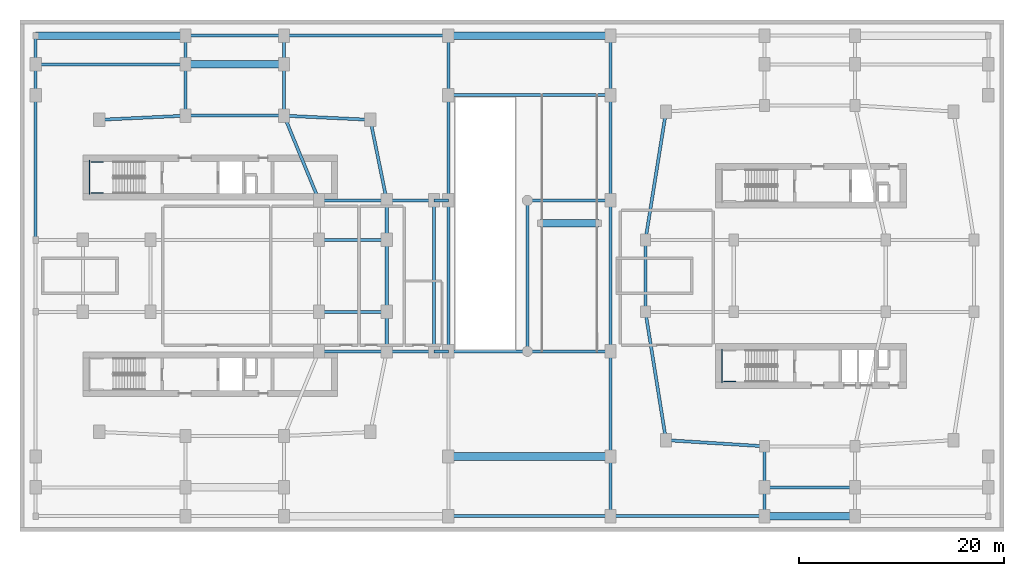
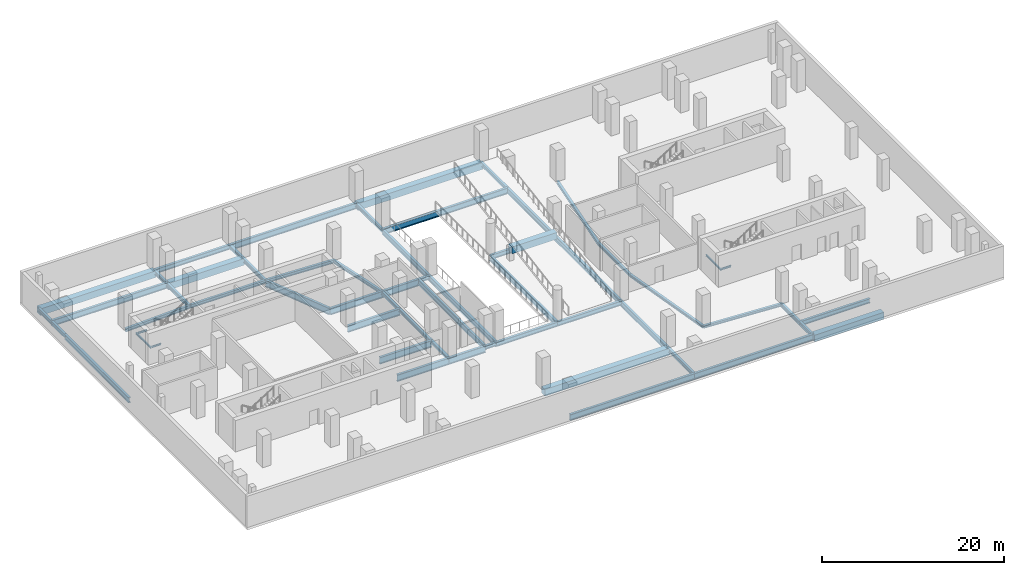
# One storey, part 2 of 13: 60 beams.
"""IFC4 building model written with IfcOpenShell, lengths in metres."""

from ifc_helpers import new_model, si_unit, derived_unit, direction, frame, origin, origin_2d, place, context, subcontext, project, spatial, rectangle, i_section, extrude, material, material_profile, profile_set, type_object, element, save


model = new_model("IFC4")

# Units and contexts
model_context = context("Model", 3, precision=1e-05, world=origin(), true_north=direction((0.0, 1.0)))
body_context = subcontext(model_context, "Body", "Model", "MODEL_VIEW")
ifc_project = project(units=[si_unit("LENGTHUNIT", "METRE"), si_unit("AREAUNIT", "SQUARE_METRE"), si_unit("VOLUMEUNIT", "CUBIC_METRE"), si_unit("PLANEANGLEUNIT", "RADIAN"), si_unit("MASSUNIT", "GRAM", prefix="KILO"), derived_unit("THERMALTRANSMITTANCEUNIT", [(si_unit("POWERUNIT", "WATT"), 1), (si_unit("LENGTHUNIT", "METRE"), -2), (si_unit("THERMODYNAMICTEMPERATUREUNIT", "KELVIN"), -1)])], contexts=[model_context])

# Site, building, storey
site_placement = place(None, origin())
site = spatial("IfcSite", under=ifc_project, at=site_placement, CompositionType="ELEMENT")
building_placement = place(site_placement, origin())
building = spatial("IfcBuilding", under=site, at=building_placement, Name="Kivonza Crest Hotel", CompositionType="ELEMENT")
storey_placement = place(building_placement, frame((0.0, 0.0, -4.199951171875)))
storey = spatial("IfcBuildingStorey", under=building, at=storey_placement, Name="B1", CompositionType="ELEMENT", Elevation=-4.199951171875)

# Beams
ifc_material_1 = material(Name="Steel S355", Category="steel")
ifc_material_profile_1 = material_profile(ifc_material_1, i_section(OverallWidth=0.300048828125, OverallDepth=0.360107421875, WebThickness=0.012451171875, FlangeThickness=0.0224609375, FilletRadius=0.027099609375, at=origin_2d()), Name="HEB 360")
ifc_profile_set_1 = profile_set([ifc_material_profile_1], Name="Steel S355")
beam_type_1 = type_object("IfcBeamType", Name="BM-HEB360", PredefinedType="SPANDREL", material=ifc_profile_set_1)
beam_1_placement = place(storey_placement, frame((63.0, 41.0, -0.5), z_axis=(-0.157990501107, -0.987440631917, 0.0), x_axis=(0.987440631917, -0.157990501107, 0.0)))
element("IfcBeam", 1, at=beam_1_placement, inside=storey, type_object=beam_type_1, Name="Companion Tower T2 B1 perimeter spandrel NW-W2", PredefinedType="SPANDREL", context=body_context, shape_type="SweptSolid", body=[
    extrude(i_section(OverallWidth=0.300048828125, OverallDepth=0.360107421875, WebThickness=0.012451171875, FlangeThickness=0.0224609375, FilletRadius=0.027099609375, at=origin_2d()), origin(), (0.0, 0.0, 1.0), 12.658935546875),
])
beam_2_placement = place(storey_placement, frame((61.0, 28.5, -0.5), z_axis=(0.0, -1.0, 0.0), x_axis=(1.0, 0.0, 0.0)))
element("IfcBeam", 2, at=beam_2_placement, inside=storey, type_object=beam_type_1, Name="Companion Tower T2 B1 perimeter spandrel W2-W1", PredefinedType="SPANDREL", context=body_context, shape_type="SweptSolid", body=[
    extrude(i_section(OverallWidth=0.300048828125, OverallDepth=0.360107421875, WebThickness=0.012451171875, FlangeThickness=0.0224609375, FilletRadius=0.027099609375, at=origin_2d()), origin(), (0.0, 0.0, 1.0), 7.0),
])
beam_3_placement = place(storey_placement, frame((61.0, 21.5, -0.5), z_axis=(0.157990501107, -0.987440631917, 0.0), x_axis=(0.987440631917, 0.157990501107, 0.0)))
element("IfcBeam", 3, at=beam_3_placement, inside=storey, type_object=beam_type_1, Name="Companion Tower T2 B1 perimeter spandrel W1-SW", PredefinedType="SPANDREL", context=body_context, shape_type="SweptSolid", body=[
    extrude(i_section(OverallWidth=0.300048828125, OverallDepth=0.360107421875, WebThickness=0.012451171875, FlangeThickness=0.0224609375, FilletRadius=0.027099609375, at=origin_2d()), origin(), (0.0, 0.0, 1.0), 12.658935546875),
])
beam_4_placement = place(storey_placement, frame((63.0, 9.0, -0.5), z_axis=(0.998051985873, -0.062387767186, 0.0), x_axis=(0.062387767186, 0.998051985873, 0.0)))
element("IfcBeam", 4, at=beam_4_placement, inside=storey, type_object=beam_type_1, Name="Companion Tower T2 B1 perimeter spandrel SW-S1", PredefinedType="SPANDREL", context=body_context, shape_type="SweptSolid", body=[
    extrude(i_section(OverallWidth=0.300048828125, OverallDepth=0.360107421875, WebThickness=0.012451171875, FlangeThickness=0.0224609375, FilletRadius=0.027099609375, at=origin_2d()), origin(), (0.0, 0.0, 1.0), 9.618896484375),
])
ifc_material_profile_2 = material_profile(ifc_material_1, i_section(OverallWidth=0.300048828125, OverallDepth=0.449951171875, WebThickness=0.013916015625, FlangeThickness=0.02587890625, FilletRadius=0.027099609375, at=origin_2d()), Name="HEB 450")
ifc_profile_set_2 = profile_set([ifc_material_profile_2], Name="Steel S355")
beam_type_2 = type_object("IfcBeamType", Name="BM-HEB450", PredefinedType="SPANDREL", material=ifc_profile_set_2)
beam_5_placement = place(storey_placement, frame((35.800048828125, 17.64990234375, -0.545166015625), z_axis=(0.0, 1.0, 0.0), x_axis=(-1.0, 0.0, 0.0)))
element("IfcBeam", 5, at=beam_5_placement, inside=storey, type_object=beam_type_2, Name="Tower T1 B1 perimeter spandrel PSE-E1", PredefinedType="SPANDREL", context=body_context, shape_type="SweptSolid", body=[
    extrude(i_section(OverallWidth=0.300048828125, OverallDepth=0.449951171875, WebThickness=0.013916015625, FlangeThickness=0.02587890625, FilletRadius=0.027099609375, at=origin_2d()), origin(), (0.0, 0.0, 1.0), 3.85009765625),
])
beam_6_placement = place(storey_placement, frame((35.800048828125, 21.5, -0.545166015625), z_axis=(0.0, 1.0, 0.0), x_axis=(-1.0, 0.0, 0.0)))
element("IfcBeam", 6, at=beam_6_placement, inside=storey, type_object=beam_type_2, Name="Tower T1 B1 perimeter spandrel E1-E2", PredefinedType="SPANDREL", context=body_context, shape_type="SweptSolid", body=[
    extrude(i_section(OverallWidth=0.300048828125, OverallDepth=0.449951171875, WebThickness=0.013916015625, FlangeThickness=0.02587890625, FilletRadius=0.027099609375, at=origin_2d()), origin(), (0.0, 0.0, 1.0), 7.0),
])
beam_7_placement = place(storey_placement, frame((35.800048828125, 28.5, -0.545166015625), z_axis=(0.0, 1.0, 0.0), x_axis=(-1.0, 0.0, 0.0)))
element("IfcBeam", 7, at=beam_7_placement, inside=storey, type_object=beam_type_2, Name="Tower T1 B1 perimeter spandrel E2-PNE", PredefinedType="SPANDREL", context=body_context, shape_type="SweptSolid", body=[
    extrude(i_section(OverallWidth=0.300048828125, OverallDepth=0.449951171875, WebThickness=0.013916015625, FlangeThickness=0.02587890625, FilletRadius=0.027099609375, at=origin_2d()), origin(), (0.0, 0.0, 1.0), 3.85009765625),
])
beam_8_placement = place(storey_placement, frame((35.800048828125, 32.35009765625, -0.545166015625), z_axis=(-0.199730733965, 0.979850822273, 0.0), x_axis=(-0.979850822273, -0.199730733965, 0.0)))
element("IfcBeam", 8, at=beam_8_placement, inside=storey, type_object=beam_type_2, Name="Tower T1 B1 perimeter spandrel PNE-NE", PredefinedType="SPANDREL", context=body_context, shape_type="SweptSolid", body=[
    extrude(i_section(OverallWidth=0.300048828125, OverallDepth=0.449951171875, WebThickness=0.013916015625, FlangeThickness=0.02587890625, FilletRadius=0.027099609375, at=origin_2d()), origin(), (0.0, 0.0, 1.0), 8.01123046875),
])
beam_9_placement = place(storey_placement, frame((34.199951171875, 40.199951171875, -0.545166015625), z_axis=(-0.998867283688, 0.047583080799, 0.0), x_axis=(-0.047583080799, -0.998867283688, 0.0)))
element("IfcBeam", 9, at=beam_9_placement, inside=storey, type_object=beam_type_2, Name="Tower T1 B1 perimeter spandrel NE-N2", PredefinedType="SPANDREL", context=body_context, shape_type="SweptSolid", body=[
    extrude(i_section(OverallWidth=0.300048828125, OverallDepth=0.449951171875, WebThickness=0.013916015625, FlangeThickness=0.02587890625, FilletRadius=0.027099609375, at=origin_2d()), origin(), (0.0, 0.0, 1.0), 8.409423828125),
])
beam_10_placement = place(storey_placement, frame((25.800048828125, 40.60009765625, -0.545166015625), z_axis=(-1.0, 0.0, 0.0), x_axis=(0.0, -1.0, 0.0)))
element("IfcBeam", 10, at=beam_10_placement, inside=storey, type_object=beam_type_2, Name="Tower T1 B1 perimeter spandrel N2-N1", PredefinedType="SPANDREL", context=body_context, shape_type="SweptSolid", body=[
    extrude(i_section(OverallWidth=0.300048828125, OverallDepth=0.449951171875, WebThickness=0.013916015625, FlangeThickness=0.02587890625, FilletRadius=0.027099609375, at=origin_2d()), origin(), (0.0, 0.0, 1.0), 9.60009765625),
])
beam_11_placement = place(storey_placement, frame((16.199951171875, 40.60009765625, -0.545166015625), z_axis=(-0.998867283688, -0.047583080799, 0.0), x_axis=(0.047583080799, -0.998867283688, 0.0)))
element("IfcBeam", 11, at=beam_11_placement, inside=storey, type_object=beam_type_2, Name="Tower T1 B1 perimeter spandrel N1-NW", PredefinedType="SPANDREL", context=body_context, shape_type="SweptSolid", body=[
    extrude(i_section(OverallWidth=0.300048828125, OverallDepth=0.449951171875, WebThickness=0.013916015625, FlangeThickness=0.02587890625, FilletRadius=0.027099609375, at=origin_2d()), origin(), (0.0, 0.0, 1.0), 8.409423828125),
])
ifc_material_profile_3 = material_profile(ifc_material_1, i_section(OverallWidth=0.300048828125, OverallDepth=0.5, WebThickness=0.014404296875, FlangeThickness=0.028076171875, FilletRadius=0.027099609375, at=origin_2d()), Name="HEB 500")
ifc_profile_set_3 = profile_set([ifc_material_profile_3], Name="Steel S355")
beam_type_3 = type_object("IfcBeamType", Name="BM-HEB500", PredefinedType="BEAM", material=ifc_profile_set_3)
for number, where, z_axis, x_axis, name in (
    (12, (40.39990234375, 17.64990234375, -0.570068359375), (1.0, 0.0, 0.0), (0.0, 1.0, 0.0), "B1 podium girder X 17"),
    (13, (40.39990234375, 32.35009765625, -0.570068359375), (1.0, 0.0, 0.0), (0.0, 1.0, 0.0), "B1 podium girder X 36"),
):
    element("IfcBeam", number, at=place(storey_placement, frame(where, z_axis=z_axis, x_axis=x_axis)), inside=storey, type_object=beam_type_3, Name=name, PredefinedType="BEAM", context=body_context, shape_type="SweptSolid", body=[
        extrude(i_section(OverallWidth=0.300048828125, OverallDepth=0.5, WebThickness=0.014404296875, FlangeThickness=0.028076171875, FilletRadius=0.027099609375, at=origin_2d()), origin(), (0.0, 0.0, 1.0), 1.400146484375),
    ])
beam_12_placement = place(storey_placement, frame((1.60009765625, 42.60009765625, -0.570068359375), z_axis=(0.0, 1.0, 0.0), x_axis=(-1.0, 0.0, 0.0)))
element("IfcBeam", 14, at=beam_12_placement, inside=storey, type_object=beam_type_3, Name="B1 podium girder Y 57", PredefinedType="BEAM", context=body_context, shape_type="SweptSolid", body=[
    extrude(i_section(OverallWidth=0.300048828125, OverallDepth=0.5, WebThickness=0.014404296875, FlangeThickness=0.028076171875, FilletRadius=0.027099609375, at=origin_2d()), origin(), (0.0, 0.0, 1.0), 3.0),
])
beam_13_placement = place(storey_placement, frame((1.60009765625, 45.60009765625, -0.570068359375), z_axis=(0.0, 1.0, 0.0), x_axis=(-1.0, 0.0, 0.0)))
element("IfcBeam", 15, at=beam_13_placement, inside=storey, type_object=beam_type_3, Name="B1 podium girder Y 58", PredefinedType="BEAM", context=body_context, shape_type="SweptSolid", body=[
    extrude(i_section(OverallWidth=0.300048828125, OverallDepth=0.5, WebThickness=0.014404296875, FlangeThickness=0.028076171875, FilletRadius=0.027099609375, at=origin_2d()), origin(), (0.0, 0.0, 1.0), 2.7998046875),
])
beam_14_placement = place(storey_placement, frame((16.199951171875, 40.60009765625, -0.570068359375), z_axis=(0.0, 1.0, 0.0), x_axis=(-1.0, 0.0, 0.0)))
element("IfcBeam", 16, at=beam_14_placement, inside=storey, type_object=beam_type_3, Name="B1 podium girder Y 63", PredefinedType="BEAM", context=body_context, shape_type="SweptSolid", body=[
    extrude(i_section(OverallWidth=0.300048828125, OverallDepth=0.5, WebThickness=0.014404296875, FlangeThickness=0.028076171875, FilletRadius=0.027099609375, at=origin_2d()), origin(), (0.0, 0.0, 1.0), 5.0),
])
beam_15_placement = place(storey_placement, frame((16.199951171875, 45.60009765625, -0.570068359375), z_axis=(0.0, 1.0, 0.0), x_axis=(-1.0, 0.0, 0.0)))
element("IfcBeam", 17, at=beam_15_placement, inside=storey, type_object=beam_type_3, Name="B1 podium girder Y 64", PredefinedType="BEAM", context=body_context, shape_type="SweptSolid", body=[
    extrude(i_section(OverallWidth=0.300048828125, OverallDepth=0.5, WebThickness=0.014404296875, FlangeThickness=0.028076171875, FilletRadius=0.027099609375, at=origin_2d()), origin(), (0.0, 0.0, 1.0), 2.7998046875),
])
beam_16_placement = place(storey_placement, frame((25.800048828125, 40.60009765625, -0.570068359375), z_axis=(0.0, 1.0, 0.0), x_axis=(-1.0, 0.0, 0.0)))
element("IfcBeam", 18, at=beam_16_placement, inside=storey, type_object=beam_type_3, Name="B1 podium girder Y 67", PredefinedType="BEAM", context=body_context, shape_type="SweptSolid", body=[
    extrude(i_section(OverallWidth=0.300048828125, OverallDepth=0.5, WebThickness=0.014404296875, FlangeThickness=0.028076171875, FilletRadius=0.027099609375, at=origin_2d()), origin(), (0.0, 0.0, 1.0), 5.0),
])
beam_17_placement = place(storey_placement, frame((25.800048828125, 45.60009765625, -0.570068359375), z_axis=(0.0, 1.0, 0.0), x_axis=(-1.0, 0.0, 0.0)))
element("IfcBeam", 19, at=beam_17_placement, inside=storey, type_object=beam_type_3, Name="B1 podium girder Y 68", PredefinedType="BEAM", context=body_context, shape_type="SweptSolid", body=[
    extrude(i_section(OverallWidth=0.300048828125, OverallDepth=0.5, WebThickness=0.014404296875, FlangeThickness=0.028076171875, FilletRadius=0.027099609375, at=origin_2d()), origin(), (0.0, 0.0, 1.0), 2.7998046875),
])
for number, where, z_axis, x_axis, name in (
    (20, (41.800048828125, 42.60009765625, -0.570068359375), (0.0, 1.0, 0.0), (-1.0, 0.0, 0.0), "B1 podium girder Y 80"),
    (21, (57.60009765625, 1.60009765625, -0.570068359375), (0.0, 1.0, 0.0), (-1.0, 0.0, 0.0), "B1 podium girder Y 82"),
    (22, (57.60009765625, 42.60009765625, -0.570068359375), (0.0, 1.0, 0.0), (-1.0, 0.0, 0.0), "B1 podium girder Y 86"),
):
    element("IfcBeam", number, at=place(storey_placement, frame(where, z_axis=z_axis, x_axis=x_axis)), inside=storey, type_object=beam_type_3, Name=name, PredefinedType="BEAM", context=body_context, shape_type="SweptSolid", body=[
        extrude(i_section(OverallWidth=0.300048828125, OverallDepth=0.5, WebThickness=0.014404296875, FlangeThickness=0.028076171875, FilletRadius=0.027099609375, at=origin_2d()), origin(), (0.0, 0.0, 1.0), 5.7998046875),
    ])
beam_18_placement = place(storey_placement, frame((72.60009765625, 1.60009765625, -0.570068359375), z_axis=(0.0, 1.0, 0.0), x_axis=(-1.0, 0.0, 0.0)))
element("IfcBeam", 23, at=beam_18_placement, inside=storey, type_object=beam_type_3, Name="B1 podium girder Y 89", PredefinedType="BEAM", context=body_context, shape_type="SweptSolid", body=[
    extrude(i_section(OverallWidth=0.300048828125, OverallDepth=0.5, WebThickness=0.014404296875, FlangeThickness=0.028076171875, FilletRadius=0.027099609375, at=origin_2d()), origin(), (0.0, 0.0, 1.0), 2.7998046875),
])
beam_19_placement = place(storey_placement, frame((72.60009765625, 4.39990234375, -0.570068359375), z_axis=(0.0, 1.0, 0.0), x_axis=(-1.0, 0.0, 0.0)))
element("IfcBeam", 24, at=beam_19_placement, inside=storey, type_object=beam_type_3, Name="B1 podium girder Y 90", PredefinedType="BEAM", context=body_context, shape_type="SweptSolid", body=[
    extrude(i_section(OverallWidth=0.300048828125, OverallDepth=0.5, WebThickness=0.014404296875, FlangeThickness=0.028076171875, FilletRadius=0.027099609375, at=origin_2d()), origin(), (0.0, 0.0, 1.0), 4.0),
])
ifc_material_profile_4 = material_profile(ifc_material_1, i_section(OverallWidth=0.300048828125, OverallDepth=0.60009765625, WebThickness=0.015380859375, FlangeThickness=0.030029296875, FilletRadius=0.027099609375, at=origin_2d()), Name="HEB 600")
ifc_profile_set_4 = profile_set([ifc_material_profile_4], Name="Steel S355")
beam_type_4 = type_object("IfcBeamType", Name="BM-HEB600", PredefinedType="BEAM", material=ifc_profile_set_4)
beam_20_placement = place(storey_placement, frame((72.60009765625, 4.39990234375, -0.6201171875), z_axis=(1.0, 0.0, 0.0), x_axis=(0.0, 1.0, 0.0)))
element("IfcBeam", 25, at=beam_20_placement, inside=storey, type_object=beam_type_4, Name="B1 podium girder X 10", PredefinedType="BEAM", context=body_context, shape_type="SweptSolid", body=[
    extrude(i_section(OverallWidth=0.300048828125, OverallDepth=0.60009765625, WebThickness=0.015380859375, FlangeThickness=0.030029296875, FilletRadius=0.027099609375, at=origin_2d()), origin(), (0.0, 0.0, 1.0), 8.7998046875),
])
beam_21_placement = place(storey_placement, frame((41.800048828125, 17.64990234375, -0.6201171875), z_axis=(1.0, 0.0, 0.0), x_axis=(0.0, 1.0, 0.0)))
element("IfcBeam", 26, at=beam_21_placement, inside=storey, type_object=beam_type_4, Name="B1 podium girder X 18", PredefinedType="BEAM", context=body_context, shape_type="SweptSolid", body=[
    extrude(i_section(OverallWidth=0.300048828125, OverallDepth=0.60009765625, WebThickness=0.015380859375, FlangeThickness=0.030029296875, FilletRadius=0.027099609375, at=origin_2d()), origin(), (0.0, 0.0, 1.0), 7.699951171875),
])
for number, where, z_axis, x_axis, name in (
    (27, (49.5, 17.64990234375, -0.6201171875), (1.0, 0.0, 0.0), (0.0, 1.0, 0.0), "B1 podium girder X 19"),
    (28, (49.5, 32.35009765625, -0.6201171875), (1.0, 0.0, 0.0), (0.0, 1.0, 0.0), "B1 podium girder X 37"),
):
    element("IfcBeam", number, at=place(storey_placement, frame(where, z_axis=z_axis, x_axis=x_axis)), inside=storey, type_object=beam_type_4, Name=name, PredefinedType="BEAM", context=body_context, shape_type="SweptSolid", body=[
        extrude(i_section(OverallWidth=0.300048828125, OverallDepth=0.60009765625, WebThickness=0.015380859375, FlangeThickness=0.030029296875, FilletRadius=0.027099609375, at=origin_2d()), origin(), (0.0, 0.0, 1.0), 8.10009765625),
    ])
beam_22_placement = place(storey_placement, frame((16.199951171875, 48.39990234375, -0.6201171875), z_axis=(1.0, 0.0, 0.0), x_axis=(0.0, 1.0, 0.0)))
element("IfcBeam", 29, at=beam_22_placement, inside=storey, type_object=beam_type_4, Name="B1 podium girder X 46", PredefinedType="BEAM", context=body_context, shape_type="SweptSolid", body=[
    extrude(i_section(OverallWidth=0.300048828125, OverallDepth=0.60009765625, WebThickness=0.015380859375, FlangeThickness=0.030029296875, FilletRadius=0.027099609375, at=origin_2d()), origin(), (0.0, 0.0, 1.0), 9.60009765625),
])
ifc_material_profile_5 = material_profile(ifc_material_1, i_section(OverallWidth=0.300048828125, OverallDepth=0.699951171875, WebThickness=0.01708984375, FlangeThickness=0.031982421875, FilletRadius=0.027099609375, at=origin_2d()), Name="HEB 700")
ifc_profile_set_5 = profile_set([ifc_material_profile_5], Name="Steel S355")
beam_type_5 = type_object("IfcBeamType", Name="BM-HEB700", PredefinedType="BEAM", material=ifc_profile_set_5)
beam_23_placement = place(storey_placement, frame((1.60009765625, 28.5, -0.670166015625), z_axis=(0.0, 1.0, 0.0), x_axis=(-1.0, 0.0, 0.0)))
element("IfcBeam", 30, at=beam_23_placement, inside=storey, type_object=beam_type_5, Name="B1 podium girder Y 56", PredefinedType="BEAM", context=body_context, shape_type="SweptSolid", body=[
    extrude(i_section(OverallWidth=0.300048828125, OverallDepth=0.699951171875, WebThickness=0.01708984375, FlangeThickness=0.031982421875, FilletRadius=0.027099609375, at=origin_2d()), origin(), (0.0, 0.0, 1.0), 14.10009765625),
])
for number, where, z_axis, x_axis, name in (
    (31, (40.39990234375, 17.64990234375, -0.670166015625), (0.0, 1.0, 0.0), (-1.0, 0.0, 0.0), "B1 podium girder Y 75"),
    (32, (41.800048828125, 17.64990234375, -0.670166015625), (0.0, 1.0, 0.0), (-1.0, 0.0, 0.0), "B1 podium girder Y 78"),
):
    element("IfcBeam", number, at=place(storey_placement, frame(where, z_axis=z_axis, x_axis=x_axis)), inside=storey, type_object=beam_type_5, Name=name, PredefinedType="BEAM", context=body_context, shape_type="SweptSolid", body=[
        extrude(i_section(OverallWidth=0.300048828125, OverallDepth=0.699951171875, WebThickness=0.01708984375, FlangeThickness=0.031982421875, FilletRadius=0.027099609375, at=origin_2d()), origin(), (0.0, 0.0, 1.0), 14.7001953125),
    ])
beam_24_placement = place(storey_placement, frame((41.800048828125, 32.35009765625, -0.670166015625), z_axis=(0.0, 1.0, 0.0), x_axis=(-1.0, 0.0, 0.0)))
element("IfcBeam", 33, at=beam_24_placement, inside=storey, type_object=beam_type_5, Name="B1 podium girder Y 79", PredefinedType="BEAM", context=body_context, shape_type="SweptSolid", body=[
    extrude(i_section(OverallWidth=0.300048828125, OverallDepth=0.699951171875, WebThickness=0.01708984375, FlangeThickness=0.031982421875, FilletRadius=0.027099609375, at=origin_2d()), origin(), (0.0, 0.0, 1.0), 10.25),
])
beam_25_placement = place(storey_placement, frame((49.5, 17.64990234375, -0.670166015625), z_axis=(0.0, 1.0, 0.0), x_axis=(-1.0, 0.0, 0.0)))
element("IfcBeam", 34, at=beam_25_placement, inside=storey, type_object=beam_type_5, Name="B1 podium girder Y 81", PredefinedType="BEAM", context=body_context, shape_type="SweptSolid", body=[
    extrude(i_section(OverallWidth=0.300048828125, OverallDepth=0.699951171875, WebThickness=0.01708984375, FlangeThickness=0.031982421875, FilletRadius=0.027099609375, at=origin_2d()), origin(), (0.0, 0.0, 1.0), 14.7001953125),
])
beam_26_placement = place(storey_placement, frame((57.60009765625, 7.39990234375, -0.670166015625), z_axis=(0.0, 1.0, 0.0), x_axis=(-1.0, 0.0, 0.0)))
element("IfcBeam", 35, at=beam_26_placement, inside=storey, type_object=beam_type_5, Name="B1 podium girder Y 83", PredefinedType="BEAM", context=body_context, shape_type="SweptSolid", body=[
    extrude(i_section(OverallWidth=0.300048828125, OverallDepth=0.699951171875, WebThickness=0.01708984375, FlangeThickness=0.031982421875, FilletRadius=0.027099609375, at=origin_2d()), origin(), (0.0, 0.0, 1.0), 10.25),
])
beam_27_placement = place(storey_placement, frame((57.60009765625, 17.64990234375, -0.670166015625), z_axis=(0.0, 1.0, 0.0), x_axis=(-1.0, 0.0, 0.0)))
element("IfcBeam", 36, at=beam_27_placement, inside=storey, type_object=beam_type_5, Name="B1 podium girder Y 84", PredefinedType="BEAM", context=body_context, shape_type="SweptSolid", body=[
    extrude(i_section(OverallWidth=0.300048828125, OverallDepth=0.699951171875, WebThickness=0.01708984375, FlangeThickness=0.031982421875, FilletRadius=0.027099609375, at=origin_2d()), origin(), (0.0, 0.0, 1.0), 14.7001953125),
])
beam_28_placement = place(storey_placement, frame((57.60009765625, 32.35009765625, -0.670166015625), z_axis=(0.0, 1.0, 0.0), x_axis=(-1.0, 0.0, 0.0)))
element("IfcBeam", 37, at=beam_28_placement, inside=storey, type_object=beam_type_5, Name="B1 podium girder Y 85", PredefinedType="BEAM", context=body_context, shape_type="SweptSolid", body=[
    extrude(i_section(OverallWidth=0.300048828125, OverallDepth=0.699951171875, WebThickness=0.01708984375, FlangeThickness=0.031982421875, FilletRadius=0.027099609375, at=origin_2d()), origin(), (0.0, 0.0, 1.0), 10.25),
])
ifc_material_profile_6 = material_profile(ifc_material_1, i_section(OverallWidth=0.300048828125, OverallDepth=0.800048828125, WebThickness=0.017578125, FlangeThickness=0.032958984375, FilletRadius=0.030029296875, at=origin_2d()), Name="HEB 800")
ifc_profile_set_6 = profile_set([ifc_material_profile_6], Name="Steel S355")
beam_type_6 = type_object("IfcBeamType", Name="BM-HEB800", PredefinedType="BEAM", material=ifc_profile_set_6)
beam_29_placement = place(storey_placement, frame((41.800048828125, 1.60009765625, -0.719970703125), z_axis=(1.0, 0.0, 0.0), x_axis=(0.0, 1.0, 0.0)))
element("IfcBeam", 38, at=beam_29_placement, inside=storey, type_object=beam_type_6, Name="B1 podium girder X 4", PredefinedType="BEAM", context=body_context, shape_type="SweptSolid", body=[
    extrude(i_section(OverallWidth=0.300048828125, OverallDepth=0.800048828125, WebThickness=0.017578125, FlangeThickness=0.032958984375, FilletRadius=0.030029296875, at=origin_2d()), origin(), (0.0, 0.0, 1.0), 15.800048828125),
])
beam_30_placement = place(storey_placement, frame((57.60009765625, 1.60009765625, -0.719970703125), z_axis=(1.0, 0.0, 0.0), x_axis=(0.0, 1.0, 0.0)))
element("IfcBeam", 39, at=beam_30_placement, inside=storey, type_object=beam_type_6, Name="B1 podium girder X 5", PredefinedType="BEAM", context=body_context, shape_type="SweptSolid", body=[
    extrude(i_section(OverallWidth=0.300048828125, OverallDepth=0.800048828125, WebThickness=0.017578125, FlangeThickness=0.032958984375, FilletRadius=0.030029296875, at=origin_2d()), origin(), (0.0, 0.0, 1.0), 15.0),
])
beam_31_placement = place(storey_placement, frame((41.800048828125, 42.60009765625, -0.719970703125), z_axis=(1.0, 0.0, 0.0), x_axis=(0.0, 1.0, 0.0)))
element("IfcBeam", 40, at=beam_31_placement, inside=storey, type_object=beam_type_6, Name="B1 podium girder X 40", PredefinedType="BEAM", context=body_context, shape_type="SweptSolid", body=[
    extrude(i_section(OverallWidth=0.300048828125, OverallDepth=0.800048828125, WebThickness=0.017578125, FlangeThickness=0.032958984375, FilletRadius=0.030029296875, at=origin_2d()), origin(), (0.0, 0.0, 1.0), 15.800048828125),
])
beam_32_placement = place(storey_placement, frame((1.60009765625, 45.60009765625, -0.719970703125), z_axis=(1.0, 0.0, 0.0), x_axis=(0.0, 1.0, 0.0)))
element("IfcBeam", 41, at=beam_32_placement, inside=storey, type_object=beam_type_6, Name="B1 podium girder X 41", PredefinedType="BEAM", context=body_context, shape_type="SweptSolid", body=[
    extrude(i_section(OverallWidth=0.300048828125, OverallDepth=0.800048828125, WebThickness=0.017578125, FlangeThickness=0.032958984375, FilletRadius=0.030029296875, at=origin_2d()), origin(), (0.0, 0.0, 1.0), 14.599853515625),
])
beam_33_placement = place(storey_placement, frame((25.800048828125, 48.39990234375, -0.719970703125), z_axis=(1.0, 0.0, 0.0), x_axis=(0.0, 1.0, 0.0)))
element("IfcBeam", 42, at=beam_33_placement, inside=storey, type_object=beam_type_6, Name="B1 podium girder X 47", PredefinedType="BEAM", context=body_context, shape_type="SweptSolid", body=[
    extrude(i_section(OverallWidth=0.300048828125, OverallDepth=0.800048828125, WebThickness=0.017578125, FlangeThickness=0.032958984375, FilletRadius=0.030029296875, at=origin_2d()), origin(), (0.0, 0.0, 1.0), 16.0),
])
ifc_material_profile_7 = material_profile(ifc_material_1, i_section(OverallWidth=0.300048828125, OverallDepth=0.89990234375, WebThickness=0.0185546875, FlangeThickness=0.034912109375, FilletRadius=0.030029296875, at=origin_2d()), Name="HEB 900")
ifc_profile_set_7 = profile_set([ifc_material_profile_7], Name="Steel S355")
beam_type_7 = type_object("IfcBeamType", Name="BM-HEB900", PredefinedType="BEAM", material=ifc_profile_set_7)
beam_34_placement = place(storey_placement, frame((25.800048828125, 40.60009765625, -0.77001953125), z_axis=(0.381022260404, -0.924565864109, 0.0), x_axis=(0.924565864109, 0.381022260404, 0.0)))
element("IfcBeam", 43, at=beam_34_placement, inside=storey, type_object=beam_type_7, Name="Tower T1 B1 primary girder N1-TNE", PredefinedType="BEAM", context=body_context, shape_type="SweptSolid", body=[
    extrude(i_section(OverallWidth=0.300048828125, OverallDepth=0.89990234375, WebThickness=0.0185546875, FlangeThickness=0.034912109375, FilletRadius=0.030029296875, at=origin_2d()), origin(), (0.0, 0.0, 1.0), 8.923095703125),
])
for number, where, z_axis, x_axis, name in (
    (44, (29.199951171875, 17.64990234375, -0.77001953125), (1.0, 0.0, 0.0), (0.0, 1.0, 0.0), "Tower T1 B1 primary girder TSE-PSE"),
    (45, (29.199951171875, 32.35009765625, -0.77001953125), (1.0, 0.0, 0.0), (0.0, 1.0, 0.0), "Tower T1 B1 primary girder TNE-PNE"),
    (46, (29.199951171875, 21.5, -0.77001953125), (1.0, 0.0, 0.0), (0.0, 1.0, 0.0), "Tower T1 B1 primary girder WR1-E1"),
    (47, (29.199951171875, 28.5, -0.77001953125), (1.0, 0.0, 0.0), (0.0, 1.0, 0.0), "Tower T1 B1 primary girder WR2-E2"),
):
    element("IfcBeam", number, at=place(storey_placement, frame(where, z_axis=z_axis, x_axis=x_axis)), inside=storey, type_object=beam_type_7, Name=name, PredefinedType="BEAM", context=body_context, shape_type="SweptSolid", body=[
        extrude(i_section(OverallWidth=0.300048828125, OverallDepth=0.89990234375, WebThickness=0.0185546875, FlangeThickness=0.034912109375, FilletRadius=0.030029296875, at=origin_2d()), origin(), (0.0, 0.0, 1.0), 6.60009765625),
    ])
for number, where, z_axis, x_axis, name in (
    (48, (40.39990234375, 17.64990234375, -0.77001953125), (-1.0, 0.0, 0.0), (0.0, -1.0, 0.0), "Tower T1 B1 outer bay girder ZE1"),
    (49, (40.39990234375, 32.35009765625, -0.77001953125), (-1.0, 0.0, 0.0), (0.0, -1.0, 0.0), "Tower T1 B1 outer bay girder ZE2"),
):
    element("IfcBeam", number, at=place(storey_placement, frame(where, z_axis=z_axis, x_axis=x_axis)), inside=storey, type_object=beam_type_7, Name=name, PredefinedType="BEAM", context=body_context, shape_type="SweptSolid", body=[
        extrude(i_section(OverallWidth=0.300048828125, OverallDepth=0.89990234375, WebThickness=0.0185546875, FlangeThickness=0.034912109375, FilletRadius=0.030029296875, at=origin_2d()), origin(), (0.0, 0.0, 1.0), 4.599853515625),
    ])
ifc_material_profile_8 = material_profile(ifc_material_1, i_section(OverallWidth=0.1201171875, OverallDepth=0.239990234375, WebThickness=0.006103515625, FlangeThickness=0.009765625, FilletRadius=0.014892578125, at=origin_2d()), Name="IPE 240")
ifc_profile_set_8 = profile_set([ifc_material_profile_8], Name="Steel S355")
beam_type_8 = type_object("IfcBeamType", Name="BM-LLDG-240", PredefinedType="BEAM", material=ifc_profile_set_8)
beam_35_placement = place(storey_placement, frame((6.860107421875, 32.89990234375, 1.780029296875), z_axis=(0.0, 1.0, 0.0), x_axis=(-1.0, 0.0, 0.0)))
element("IfcBeam", 50, at=beam_35_placement, inside=storey, type_object=beam_type_8, Name="Stair ST-T1-N B1 West landing corbel", PredefinedType="BEAM", context=body_context, shape_type="SweptSolid", body=[
    extrude(i_section(OverallWidth=0.1201171875, OverallDepth=0.239990234375, WebThickness=0.006103515625, FlangeThickness=0.009765625, FilletRadius=0.014892578125, at=origin_2d()), origin(), (0.0, 0.0, 1.0), 3.360107421875),
])
for number, where, z_axis, x_axis, name in (
    (51, (6.989990234375, 33.06005859375, 1.780029296875), (1.0, 0.0, 0.0), (0.0, 1.0, 0.0), "Stair ST-T1-N B1 South landing corbel"),
    (52, (6.989990234375, 36.10009765625, 1.780029296875), (1.0, 0.0, 0.0), (0.0, 1.0, 0.0), "Stair ST-T1-N B1 North landing corbel"),
):
    element("IfcBeam", number, at=place(storey_placement, frame(where, z_axis=z_axis, x_axis=x_axis)), inside=storey, type_object=beam_type_8, Name=name, PredefinedType="BEAM", context=body_context, shape_type="SweptSolid", body=[
        extrude(i_section(OverallWidth=0.1201171875, OverallDepth=0.239990234375, WebThickness=0.006103515625, FlangeThickness=0.009765625, FilletRadius=0.014892578125, at=origin_2d()), origin(), (0.0, 0.0, 1.0), 1.2099609375),
    ])
beam_36_placement = place(storey_placement, frame((68.4599609375, 14.5400390625, 1.780029296875), z_axis=(0.0, 1.0, 0.0), x_axis=(-1.0, 0.0, 0.0)))
element("IfcBeam", 53, at=beam_36_placement, inside=storey, type_object=beam_type_8, Name="Stair ST-T2-S B1 West landing corbel", PredefinedType="BEAM", context=body_context, shape_type="SweptSolid", body=[
    extrude(i_section(OverallWidth=0.1201171875, OverallDepth=0.239990234375, WebThickness=0.006103515625, FlangeThickness=0.009765625, FilletRadius=0.014892578125, at=origin_2d()), origin(), (0.0, 0.0, 1.0), 3.35986328125),
])
beam_37_placement = place(storey_placement, frame((68.590087890625, 14.699951171875, 1.780029296875), z_axis=(1.0, 0.0, 0.0), x_axis=(0.0, 1.0, 0.0)))
element("IfcBeam", 54, at=beam_37_placement, inside=storey, type_object=beam_type_8, Name="Stair ST-T2-S B1 South landing corbel", PredefinedType="BEAM", context=body_context, shape_type="SweptSolid", body=[
    extrude(i_section(OverallWidth=0.1201171875, OverallDepth=0.239990234375, WebThickness=0.006103515625, FlangeThickness=0.009765625, FilletRadius=0.014892578125, at=origin_2d()), origin(), (0.0, 0.0, 1.0), 1.2099609375),
])
ifc_material_2 = material(Name="Concrete C40/50", Category="concrete")
ifc_material_profile_9 = material_profile(ifc_material_2, rectangle(XDim=0.75, YDim=0.89990234375, at=origin_2d()), Name="RC 900x750")
ifc_profile_set_9 = profile_set([ifc_material_profile_9], Name="Concrete C40/50")
beam_type_9 = type_object("IfcBeamType", Name="BM-RCT-900x750", PredefinedType="T_BEAM", material=ifc_profile_set_9)
beam_38_placement = place(storey_placement, frame((72.60009765625, 1.60009765625, -0.77001953125), z_axis=(1.0, 0.0, 0.0), x_axis=(0.0, 1.0, 0.0)))
element("IfcBeam", 55, at=beam_38_placement, inside=storey, type_object=beam_type_9, Name="B1 reinforced concrete T-beam 6", PredefinedType="T_BEAM", context=body_context, shape_type="SweptSolid", body=[
    extrude(rectangle(XDim=0.75, YDim=0.89990234375, at=origin_2d()), origin(), (0.0, 0.0, 1.0), 8.7998046875),
])
beam_39_placement = place(storey_placement, frame((41.800048828125, 7.39990234375, -0.77001953125), z_axis=(1.0, 0.0, 0.0), x_axis=(0.0, 1.0, 0.0)))
element("IfcBeam", 56, at=beam_39_placement, inside=storey, type_object=beam_type_9, Name="B1 reinforced concrete T-beam 12", PredefinedType="T_BEAM", context=body_context, shape_type="SweptSolid", body=[
    extrude(rectangle(XDim=0.75, YDim=0.89990234375, at=origin_2d()), origin(), (0.0, 0.0, 1.0), 15.800048828125),
])
beam_40_placement = place(storey_placement, frame((16.199951171875, 45.60009765625, -0.77001953125), z_axis=(1.0, 0.0, 0.0), x_axis=(0.0, 1.0, 0.0)))
element("IfcBeam", 57, at=beam_40_placement, inside=storey, type_object=beam_type_9, Name="B1 reinforced concrete T-beam 42", PredefinedType="T_BEAM", context=body_context, shape_type="SweptSolid", body=[
    extrude(rectangle(XDim=0.75, YDim=0.89990234375, at=origin_2d()), origin(), (0.0, 0.0, 1.0), 9.60009765625),
])
beam_41_placement = place(storey_placement, frame((1.60009765625, 48.39990234375, -0.77001953125), z_axis=(1.0, 0.0, 0.0), x_axis=(0.0, 1.0, 0.0)))
element("IfcBeam", 58, at=beam_41_placement, inside=storey, type_object=beam_type_9, Name="B1 reinforced concrete T-beam 45", PredefinedType="T_BEAM", context=body_context, shape_type="SweptSolid", body=[
    extrude(rectangle(XDim=0.75, YDim=0.89990234375, at=origin_2d()), origin(), (0.0, 0.0, 1.0), 14.599853515625),
])
beam_42_placement = place(storey_placement, frame((41.800048828125, 48.39990234375, -0.77001953125), z_axis=(1.0, 0.0, 0.0), x_axis=(0.0, 1.0, 0.0)))
element("IfcBeam", 59, at=beam_42_placement, inside=storey, type_object=beam_type_9, Name="B1 reinforced concrete T-beam 48", PredefinedType="T_BEAM", context=body_context, shape_type="SweptSolid", body=[
    extrude(rectangle(XDim=0.75, YDim=0.89990234375, at=origin_2d()), origin(), (0.0, 0.0, 1.0), 15.800048828125),
])
beam_43_placement = place(storey_placement, frame((50.75, 30.125, 1.369873046875), z_axis=(1.0, 0.0, 0.0), x_axis=(0.0, 1.0, 0.0)))
element("IfcBeam", 60, at=beam_43_placement, inside=storey, type_object=beam_type_9, Name="B1 vehicle ramp midspan support beam", PredefinedType="T_BEAM", context=body_context, shape_type="SweptSolid", body=[
    extrude(rectangle(XDim=0.75, YDim=0.89990234375, at=origin_2d()), origin(), (0.0, 0.0, 1.0), 5.699951171875),
])

save(model, "model.ifc")
